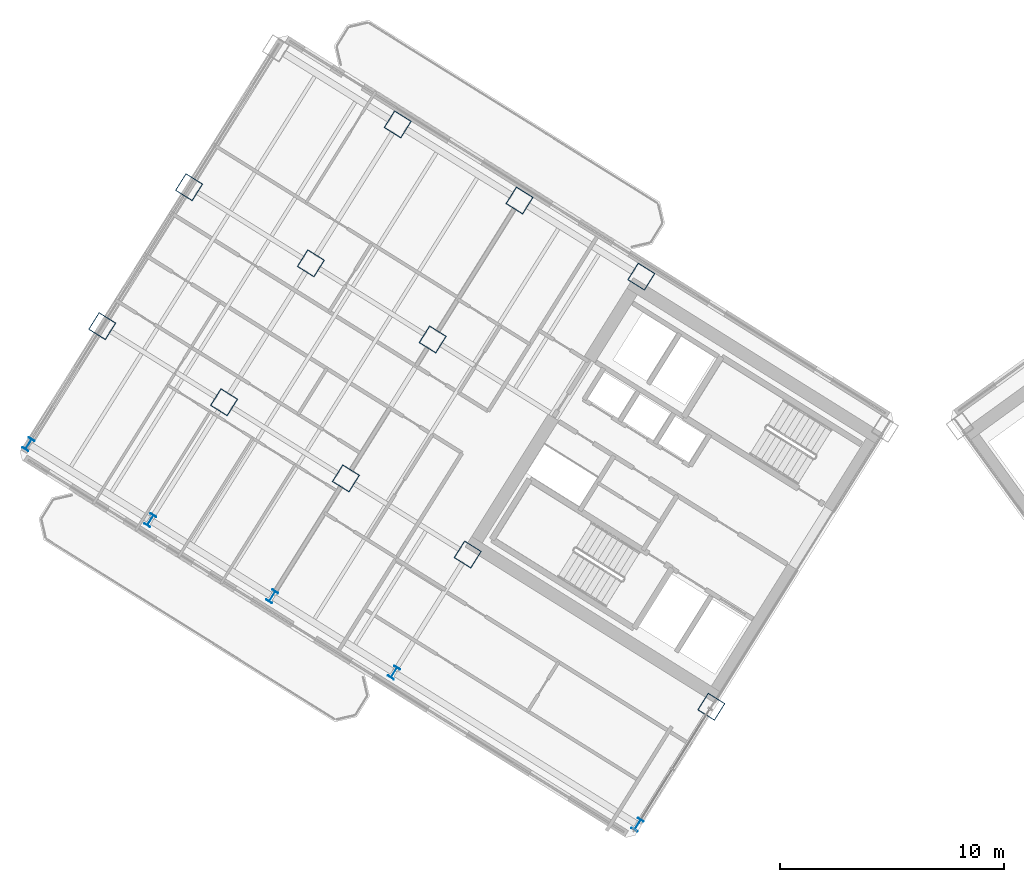
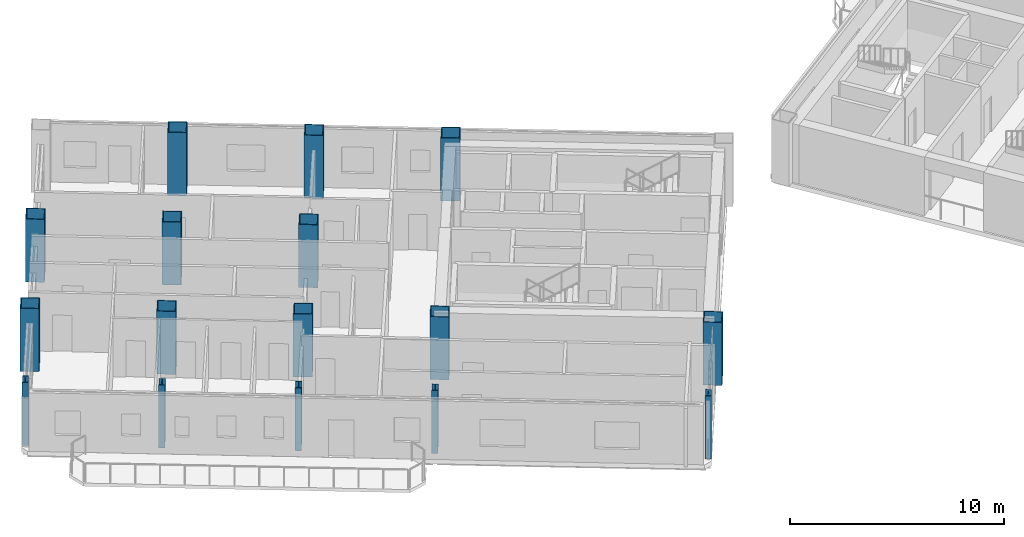
# One storey, part 1 of 19: 16 columns.
"""IFC4 building model written with IfcOpenShell, lengths in metres."""

from ifc_helpers import new_model, si_unit, direction, frame, origin, origin_2d, place, context, subcontext, project, spatial, hollow_rectangle, i_section, extrude, source, transform, mapped, material, material_profile, profile_set, type_object, element, save


model = new_model("IFC4")

# Units and contexts
model_context = context("Model", 3, precision=1e-05, world=origin(), true_north=direction((0.0, 1.0)))
body_context = subcontext(model_context, "Body", "Model", "MODEL_VIEW")
ifc_project = project(units=[si_unit("LENGTHUNIT", "METRE"), si_unit("AREAUNIT", "SQUARE_METRE"), si_unit("VOLUMEUNIT", "CUBIC_METRE"), si_unit("PLANEANGLEUNIT", "RADIAN"), si_unit("MASSUNIT", "GRAM", prefix="KILO")], contexts=[model_context])

# Site, building, storey
site_placement = place(None, origin())
site = spatial("IfcSite", under=ifc_project, at=site_placement, CompositionType="ELEMENT")
building_placement = place(site_placement, origin())
building = spatial("IfcBuilding", under=site, at=building_placement, Name="Tlacorven Tower", CompositionType="ELEMENT")
storey_placement = place(building_placement, frame((0.0, 0.0, 144.300048828125)))
storey = spatial("IfcBuildingStorey", under=building, at=storey_placement, Name="L36", CompositionType="ELEMENT", Elevation=144.300048828125)

# Columns
ifc_material = material(Name="Steel S460M", Category="steel")
ifc_material_profile_1 = material_profile(ifc_material, hollow_rectangle(XDim=0.89990234375, YDim=0.89990234375, WallThickness=0.035888671875, at=origin_2d()), Name="BOX 900X900X36")
ifc_profile_set_1 = profile_set([ifc_material_profile_1], Name="Steel S460M")
column_type_1 = type_object("IfcColumnType", Name="COL-TWR-S2", PredefinedType="COLUMN", material=ifc_profile_set_1)
shared_shape_1 = source(origin(), body_context, "Body", "SweptSolid", [
    extrude(hollow_rectangle(XDim=0.89990234375, YDim=0.89990234375, WallThickness=0.035888671875, at=origin_2d()), origin(), (0.0, 0.0, 1.0), 3.599853515625),
])
for number, where, z_axis, x_axis, name in (
    (1, (33.046142578125, 12.0869140625, 0.0), (0.0, 0.0, 1.0), (-0.848048096156, 0.529919264233, 0.0), "L36 column COL-L36-W1-3"),
    (2, (29.927978515625, 31.25146484375, 0.0), (0.0, 0.0, 1.0), (-0.848048096156, 0.529919264233, 0.0), "L36 column COL-L36-W3-1"),
    (3, (22.191162109375, 18.869873046875, 0.0), (0.0, 0.0, 1.0), (-0.848048096156, 0.529919264233, 0.0), "L36 column COL-L36-W3-3"),
    (4, (24.50048828125, 34.642822265625, 0.0), (0.0, 0.0, 1.0), (-0.848048096156, 0.529919264233, 0.0), "L36 column COL-L36-W4-1"),
    (5, (20.632080078125, 28.4521484375, 0.0), (0.0, 0.0, 1.0), (-0.848048096156, 0.529919264233, 0.0), "L36 column COL-L36-W4-2"),
    (6, (16.763671875, 22.26123046875, 0.0), (0.0, 0.0, 1.0), (-0.848048096156, 0.529919264233, 0.0), "L36 column COL-L36-W4-3"),
    (7, (19.072998046875, 38.034423828125, 0.0), (0.0, 0.0, 1.0), (-0.848048096156, 0.529919264233, 0.0), "L36 column COL-L36-W5-1"),
    (8, (15.20458984375, 31.843505859375, 0.0), (0.0, 0.0, 1.0), (-0.848048096156, 0.529919264233, 0.0), "L36 column COL-L36-W5-2"),
    (9, (11.336181640625, 25.65283203125, 0.0), (0.0, 0.0, 1.0), (-0.848048096156, 0.529919264233, 0.0), "L36 column COL-L36-W5-3"),
    (10, (9.777099609375, 35.235107421875, 0.0), (0.0, 0.0, 1.0), (-0.848048096156, 0.529919264233, 0.0), "L36 column COL-L36-W6-2"),
    (11, (5.90869140625, 29.044189453125, 0.0), (0.0, 0.0, 1.0), (-0.848048096156, 0.529919264233, 0.0), "L36 column COL-L36-W6-3"),
):
    element("IfcColumn", number, at=place(storey_placement, frame(where, z_axis=z_axis, x_axis=x_axis)), inside=storey, type_object=column_type_1, Name=name, PredefinedType="COLUMN", context=body_context, shape_type="MappedRepresentation", body=[
        mapped(shared_shape_1, transform((0.0, 0.0, 0.0), scale=1.0)),
    ])
ifc_material_profile_2 = material_profile(ifc_material, i_section(OverallWidth=0.300048828125, OverallDepth=0.550048828125, WebThickness=0.014892578125, FlangeThickness=0.029052734375, at=origin_2d()), Name="HEB 550")
ifc_profile_set_2 = profile_set([ifc_material_profile_2], Name="Steel S460M")
column_type_2 = type_object("IfcColumnType", Name="COL-TWR-P2", PredefinedType="COLUMN", material=ifc_profile_set_2)
shared_shape_2 = source(origin(), body_context, "Body", "SweptSolid", [
    extrude(i_section(OverallWidth=0.300048828125, OverallDepth=0.550048828125, WebThickness=0.014892578125, FlangeThickness=0.029052734375, at=origin_2d()), origin(), (0.0, 0.0, 1.0), 3.599853515625),
])
for number, where, z_axis, x_axis, name in (
    (12, (29.7607421875, 6.8291015625, 0.0), (0.0, 0.0, 1.0), (-0.848048096156, 0.529919264233, 0.0), "L36 column COL-L36-W1-4"),
    (13, (18.905517578125, 13.612060546875, 0.0), (0.0, 0.0, 1.0), (-0.848048096156, 0.529919264233, 0.0), "L36 column COL-L36-W3-4"),
    (14, (13.47802734375, 17.00341796875, 0.0), (0.0, 0.0, 1.0), (-0.848048096156, 0.529919264233, 0.0), "L36 column COL-L36-W4-4"),
    (15, (8.050537109375, 20.39501953125, 0.0), (0.0, 0.0, 1.0), (-0.848048096156, 0.529919264233, 0.0), "L36 column COL-L36-W5-4"),
    (16, (2.623046875, 23.786376953125, 0.0), (0.0, 0.0, 1.0), (-0.848048096156, 0.529919264233, 0.0), "L36 column COL-L36-W6-4"),
):
    element("IfcColumn", number, at=place(storey_placement, frame(where, z_axis=z_axis, x_axis=x_axis)), inside=storey, type_object=column_type_2, Name=name, PredefinedType="COLUMN", context=body_context, shape_type="MappedRepresentation", body=[
        mapped(shared_shape_2, transform((0.0, 0.0, 0.0), scale=1.0)),
    ])

save(model, "model.ifc")
